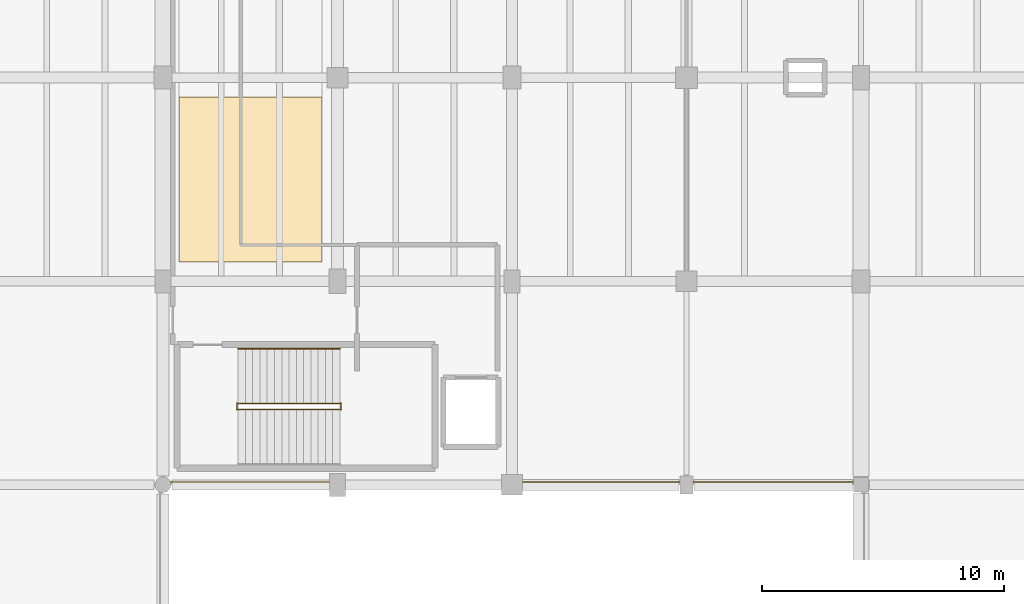
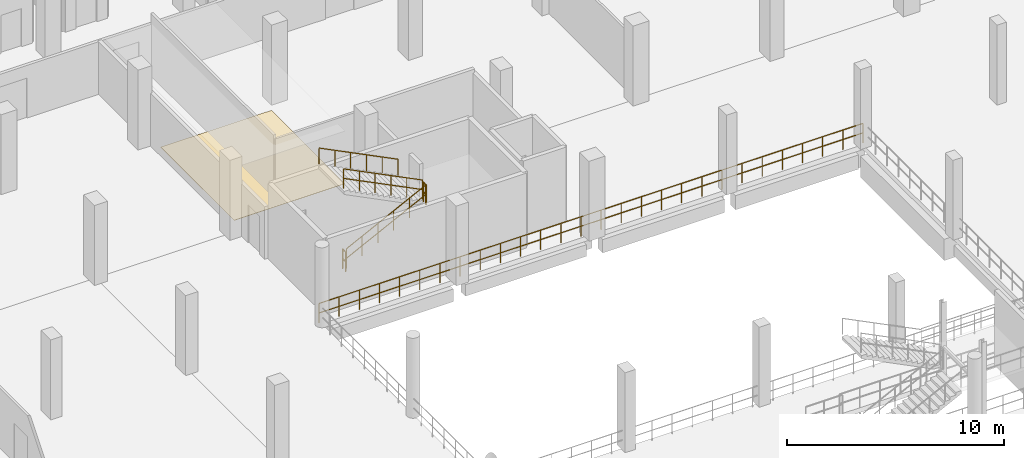
# One storey, part 129 of 134: 6 railings, 1 covering.
"""IFC4 building model written with IfcOpenShell, lengths in metres."""

from ifc_helpers import new_model, si_unit, direction, frame, origin, origin_2d, place, context, subcontext, project, spatial, polyline, circle, outline, extrude, material, layer, layer_set, type_object, element, save


model = new_model("IFC4")

# Units and contexts
model_context = context("Model", 3, precision=1e-05, world=origin(), true_north=direction((0.0, 1.0)))
body_context = subcontext(model_context, "Body", "Model", "MODEL_VIEW")
ifc_project = project(units=[si_unit("LENGTHUNIT", "METRE"), si_unit("AREAUNIT", "SQUARE_METRE"), si_unit("VOLUMEUNIT", "CUBIC_METRE"), si_unit("PLANEANGLEUNIT", "RADIAN"), si_unit("MASSUNIT", "GRAM", prefix="KILO")], contexts=[model_context])

# Site, building, storey
site_placement = place(None, origin())
site = spatial("IfcSite", under=ifc_project, at=site_placement, CompositionType="ELEMENT")
building_placement = place(site_placement, origin())
building = spatial("IfcBuilding", under=site, at=building_placement, Name="Kalluvel Institute of Natural Sciences", CompositionType="ELEMENT")
storey_placement = place(building_placement, frame((0.0, 0.0, 5.39990234375)))
storey = spatial("IfcBuildingStorey", under=building, at=storey_placement, Name="L01", CompositionType="ELEMENT", Elevation=5.39990234375)

# Covering
ifc_material_1 = material(Name="Seamless Chemical-Resistant Epoxy Flooring", Category="resin")
ifc_layer = layer(ifc_material_1, 0.014892578125)
ifc_layer_set = layer_set([ifc_layer], Name="Seamless Chemical-Resistant Epoxy Flooring")
covering_type = type_object("IfcCoveringType", Name="COV-FLR-EPOXY", PredefinedType="FLOORING", material=ifc_layer_set)
covering_placement = place(storey_placement, origin())
element("IfcCovering", 1, at=covering_placement, inside=storey, type_object=covering_type, Name="L01 seamless epoxy laboratory floor finish 4", PredefinedType="FLOORING", context=body_context, shape_type="SweptSolid", body=[
    extrude(outline(polyline([(43.449951171875, 103.60009765625), (49.35009765625, 103.60009765625), (49.35009765625, 110.39990234375), (43.449951171875, 110.39990234375), (43.449951171875, 103.60009765625)])), origin(), (0.0, 0.0, 1.0), 0.01513671875),
])

# Railings
ifc_material_2 = material(Name="Galvanized Fire-Rated Steel", Category="steel")
railing_type_1 = type_object("IfcRailingType", Name="RL-GD-ATRIUM", PredefinedType="BALUSTRADE", material=ifc_material_2)
railing_1_placement = place(storey_placement, frame((71.679931640625, 94.52001953125, 0.0)))
element("IfcRailing", 2, at=railing_1_placement, inside=storey, type_object=railing_type_1, Name="L01 Interaction Atrium void safety balustrade N", PredefinedType="BALUSTRADE", context=body_context, shape_type="SweptSolid", body=[
    extrude(circle(Radius=0.02392578125, at=origin_2d()), frame((0.0, 0.0, 1.09619140625), z_axis=(-1.0, 0.0, 0.0), x_axis=(0.0, -1.0, 0.0)), (0.0, 0.0, 1.0), 28.9599609375),
    extrude(circle(Radius=0.02392578125, at=origin_2d()), frame((0.0, 0.0, 0.56005859375), z_axis=(-1.0, 0.0, 0.0), x_axis=(0.0, -1.0, 0.0)), (0.0, 0.0, 1.0), 28.9599609375),
    extrude(circle(Radius=0.02099609375, at=origin_2d()), origin(), (0.0, 0.0, 1.0), 1.072021484375),
    extrude(circle(Radius=0.02099609375, at=origin_2d()), frame((-1.072509765625, 0.0, 0.0)), (0.0, 0.0, 1.0), 1.072021484375),
    extrude(circle(Radius=0.02099609375, at=origin_2d()), frame((-2.145263671875, 0.0, 0.0)), (0.0, 0.0, 1.0), 1.072021484375),
    extrude(circle(Radius=0.02099609375, at=origin_2d()), frame((-3.2177734375, 0.0, 0.0)), (0.0, 0.0, 1.0), 1.072021484375),
    extrude(circle(Radius=0.02099609375, at=origin_2d()), frame((-4.290283203125, 0.0, 0.0)), (0.0, 0.0, 1.0), 1.072021484375),
    extrude(circle(Radius=0.02099609375, at=origin_2d()), frame((-5.363037109375, 0.0, 0.0)), (0.0, 0.0, 1.0), 1.072021484375),
    extrude(circle(Radius=0.02099609375, at=origin_2d()), frame((-6.435546875, 0.0, 0.0)), (0.0, 0.0, 1.0), 1.072021484375),
    extrude(circle(Radius=0.02099609375, at=origin_2d()), frame((-7.508056640625, 0.0, 0.0)), (0.0, 0.0, 1.0), 1.072021484375),
    extrude(circle(Radius=0.02099609375, at=origin_2d()), frame((-8.580810546875, 0.0, 0.0)), (0.0, 0.0, 1.0), 1.072021484375),
    extrude(circle(Radius=0.02099609375, at=origin_2d()), frame((-9.6533203125, 0.0, 0.0)), (0.0, 0.0, 1.0), 1.072021484375),
    extrude(circle(Radius=0.02099609375, at=origin_2d()), frame((-10.725830078125, 0.0, 0.0)), (0.0, 0.0, 1.0), 1.072021484375),
    extrude(circle(Radius=0.02099609375, at=origin_2d()), frame((-11.798583984375, 0.0, 0.0)), (0.0, 0.0, 1.0), 1.072021484375),
    extrude(circle(Radius=0.02099609375, at=origin_2d()), frame((-12.87109375, 0.0, 0.0)), (0.0, 0.0, 1.0), 1.072021484375),
    extrude(circle(Radius=0.02099609375, at=origin_2d()), frame((-13.943603515625, 0.0, 0.0)), (0.0, 0.0, 1.0), 1.072021484375),
    extrude(circle(Radius=0.02099609375, at=origin_2d()), frame((-15.016357421875, 0.0, 0.0)), (0.0, 0.0, 1.0), 1.072021484375),
    extrude(circle(Radius=0.02099609375, at=origin_2d()), frame((-16.0888671875, 0.0, 0.0)), (0.0, 0.0, 1.0), 1.072021484375),
    extrude(circle(Radius=0.02099609375, at=origin_2d()), frame((-17.161376953125, 0.0, 0.0)), (0.0, 0.0, 1.0), 1.072021484375),
    extrude(circle(Radius=0.02099609375, at=origin_2d()), frame((-18.234130859375, 0.0, 0.0)), (0.0, 0.0, 1.0), 1.072021484375),
    extrude(circle(Radius=0.02099609375, at=origin_2d()), frame((-19.306640625, 0.0, 0.0)), (0.0, 0.0, 1.0), 1.072021484375),
    extrude(circle(Radius=0.02099609375, at=origin_2d()), frame((-20.379150390625, 0.0, 0.0)), (0.0, 0.0, 1.0), 1.072021484375),
    extrude(circle(Radius=0.02099609375, at=origin_2d()), frame((-21.451904296875, 0.0, 0.0)), (0.0, 0.0, 1.0), 1.072021484375),
    extrude(circle(Radius=0.02099609375, at=origin_2d()), frame((-22.5244140625, 0.0, 0.0)), (0.0, 0.0, 1.0), 1.072021484375),
    extrude(circle(Radius=0.02099609375, at=origin_2d()), frame((-23.596923828125, 0.0, 0.0)), (0.0, 0.0, 1.0), 1.072021484375),
    extrude(circle(Radius=0.02099609375, at=origin_2d()), frame((-24.669677734375, 0.0, 0.0)), (0.0, 0.0, 1.0), 1.072021484375),
    extrude(circle(Radius=0.02099609375, at=origin_2d()), frame((-25.7421875, 0.0, 0.0)), (0.0, 0.0, 1.0), 1.072021484375),
    extrude(circle(Radius=0.02099609375, at=origin_2d()), frame((-26.814697265625, 0.0, 0.0)), (0.0, 0.0, 1.0), 1.072021484375),
    extrude(circle(Radius=0.02099609375, at=origin_2d()), frame((-27.887451171875, 0.0, 0.0)), (0.0, 0.0, 1.0), 1.072021484375),
    extrude(circle(Radius=0.02099609375, at=origin_2d()), frame((-28.9599609375, 0.0, 0.0)), (0.0, 0.0, 1.0), 1.072021484375),
])
railing_type_2 = type_object("IfcRailingType", Name="RL-GD-STAIR", PredefinedType="BALUSTRADE", material=ifc_material_2)
railing_2_placement = place(storey_placement, frame((45.89990234375, 97.510009765625, 0.150146484375)))
element("IfcRailing", 3, at=railing_2_placement, inside=storey, type_object=railing_type_2, Name="L01 ST3 stair guard 1", PredefinedType="BALUSTRADE", context=body_context, shape_type="SweptSolid", body=[
    extrude(circle(Radius=0.02392578125, at=origin_2d()), frame((0.0, 0.0, 1.09619140625), z_axis=(0.894447986312, 0.0, 0.447172002457), x_axis=(0.0, 1.0, 0.0)), (0.0, 0.0, 1.0), 4.69580078125),
    extrude(circle(Radius=0.02392578125, at=origin_2d()), frame((0.0, 0.0, 0.56005859375), z_axis=(0.894447986312, 0.0, 0.447172002457), x_axis=(0.0, 1.0, 0.0)), (0.0, 0.0, 1.0), 4.69580078125),
    extrude(circle(Radius=0.02099609375, at=origin_2d()), origin(), (0.0, 0.0, 1.0), 1.072021484375),
    extrude(circle(Radius=0.02099609375, at=origin_2d()), frame((0.840087890625, 0.0, 0.419921875)), (0.0, 0.0, 1.0), 1.072021484375),
    extrude(circle(Radius=0.02099609375, at=origin_2d()), frame((1.68017578125, 0.0, 0.83984375)), (0.0, 0.0, 1.0), 1.072021484375),
    extrude(circle(Radius=0.02099609375, at=origin_2d()), frame((2.52001953125, 0.0, 1.260009765625)), (0.0, 0.0, 1.0), 1.072021484375),
    extrude(circle(Radius=0.02099609375, at=origin_2d()), frame((3.360107421875, 0.0, 1.679931640625)), (0.0, 0.0, 1.0), 1.072021484375),
    extrude(circle(Radius=0.02099609375, at=origin_2d()), frame((4.2001953125, 0.0, 2.099853515625)), (0.0, 0.0, 1.0), 1.072021484375),
])
railing_3_placement = place(storey_placement, frame((50.14990234375, 97.4951171875, 2.25)))
element("IfcRailing", 4, at=railing_3_placement, inside=storey, type_object=railing_type_2, Name="L01 ST3 stair guard 2", PredefinedType="BALUSTRADE", context=body_context, shape_type="SweptSolid", body=[
    extrude(circle(Radius=0.02392578125, at=origin_2d()), frame((0.0, 0.0, 1.09619140625), z_axis=(0.0, 1.0, 0.0), x_axis=(-1.0, 0.0, 0.0)), (0.0, 0.0, 1.0), 0.27978515625),
    extrude(circle(Radius=0.02392578125, at=origin_2d()), frame((0.0, 0.0, 0.56005859375), z_axis=(0.0, 1.0, 0.0), x_axis=(-1.0, 0.0, 0.0)), (0.0, 0.0, 1.0), 0.27978515625),
    extrude(circle(Radius=0.02099609375, at=origin_2d()), origin(), (0.0, 0.0, 1.0), 1.072021484375),
    extrude(circle(Radius=0.02099609375, at=origin_2d()), frame((0.0, 0.27978515625, 0.0)), (0.0, 0.0, 1.0), 1.072021484375),
])
railing_4_placement = place(storey_placement, frame((50.10009765625, 97.760009765625, 2.400146484375)))
element("IfcRailing", 5, at=railing_4_placement, inside=storey, type_object=railing_type_2, Name="L01 ST3 stair guard 3", PredefinedType="BALUSTRADE", context=body_context, shape_type="SweptSolid", body=[
    extrude(circle(Radius=0.02392578125, at=origin_2d()), frame((0.0, 0.0, 1.09619140625), z_axis=(-0.894447986312, 0.0, 0.447172002457), x_axis=(0.0, -1.0, 0.0)), (0.0, 0.0, 1.0), 4.69580078125),
    extrude(circle(Radius=0.02392578125, at=origin_2d()), frame((0.0, 0.0, 0.56005859375), z_axis=(-0.894447986312, 0.0, 0.447172002457), x_axis=(0.0, -1.0, 0.0)), (0.0, 0.0, 1.0), 4.69580078125),
    extrude(circle(Radius=0.02099609375, at=origin_2d()), origin(), (0.0, 0.0, 1.0), 1.072021484375),
    extrude(circle(Radius=0.02099609375, at=origin_2d()), frame((-0.840087890625, 0.0, 0.419921875)), (0.0, 0.0, 1.0), 1.072021484375),
    extrude(circle(Radius=0.02099609375, at=origin_2d()), frame((-1.68017578125, 0.0, 0.83984375)), (0.0, 0.0, 1.0), 1.072021484375),
    extrude(circle(Radius=0.02099609375, at=origin_2d()), frame((-2.52001953125, 0.0, 1.260009765625)), (0.0, 0.0, 1.0), 1.072021484375),
    extrude(circle(Radius=0.02099609375, at=origin_2d()), frame((-3.360107421875, 0.0, 1.679931640625)), (0.0, 0.0, 1.0), 1.072021484375),
    extrude(circle(Radius=0.02099609375, at=origin_2d()), frame((-4.2001953125, 0.0, 2.099853515625)), (0.0, 0.0, 1.0), 1.072021484375),
])
railing_5_placement = place(storey_placement, frame((45.85009765625, 97.4951171875, 0.0)))
element("IfcRailing", 6, at=railing_5_placement, inside=storey, type_object=railing_type_2, Name="L01 ST3 stair guard 4", PredefinedType="BALUSTRADE", context=body_context, shape_type="SweptSolid", body=[
    extrude(circle(Radius=0.02392578125, at=origin_2d()), frame((0.0, 0.0, 1.09619140625), z_axis=(0.0, 1.0, 0.0), x_axis=(-1.0, 0.0, 0.0)), (0.0, 0.0, 1.0), 0.27978515625),
    extrude(circle(Radius=0.02392578125, at=origin_2d()), frame((0.0, 0.0, 0.56005859375), z_axis=(0.0, 1.0, 0.0), x_axis=(-1.0, 0.0, 0.0)), (0.0, 0.0, 1.0), 0.27978515625),
    extrude(circle(Radius=0.02099609375, at=origin_2d()), origin(), (0.0, 0.0, 1.0), 1.072021484375),
    extrude(circle(Radius=0.02099609375, at=origin_2d()), frame((0.0, 0.27978515625, 0.0)), (0.0, 0.0, 1.0), 1.072021484375),
])
railing_type_3 = type_object("IfcRailingType", Name="RL-HR-STAIR", PredefinedType="HANDRAIL", material=ifc_material_2)
railing_6_placement = place(storey_placement, frame((50.10009765625, 100.02001953125, 2.400146484375)))
element("IfcRailing", 7, at=railing_6_placement, inside=storey, type_object=railing_type_3, Name="L01 ST3 stair handrail 2", PredefinedType="HANDRAIL", context=body_context, shape_type="SweptSolid", body=[
    extrude(circle(Radius=0.02392578125, at=origin_2d()), frame((0.0, 0.0, 0.89599609375), z_axis=(-0.894447986312, 0.0, 0.447172002457), x_axis=(0.0, -1.0, 0.0)), (0.0, 0.0, 1.0), 4.69580078125),
    extrude(circle(Radius=0.02099609375, at=origin_2d()), origin(), (0.0, 0.0, 1.0), 0.871826171875),
    extrude(circle(Radius=0.02099609375, at=origin_2d()), frame((-0.840087890625, 0.0, 0.419921875)), (0.0, 0.0, 1.0), 0.871826171875),
    extrude(circle(Radius=0.02099609375, at=origin_2d()), frame((-1.68017578125, 0.0, 0.83984375)), (0.0, 0.0, 1.0), 0.871826171875),
    extrude(circle(Radius=0.02099609375, at=origin_2d()), frame((-2.52001953125, 0.0, 1.260009765625)), (0.0, 0.0, 1.0), 0.871826171875),
    extrude(circle(Radius=0.02099609375, at=origin_2d()), frame((-3.360107421875, 0.0, 1.679931640625)), (0.0, 0.0, 1.0), 0.871826171875),
    extrude(circle(Radius=0.02099609375, at=origin_2d()), frame((-4.2001953125, 0.0, 2.099853515625)), (0.0, 0.0, 1.0), 0.871826171875),
])

save(model, "model.ifc")
